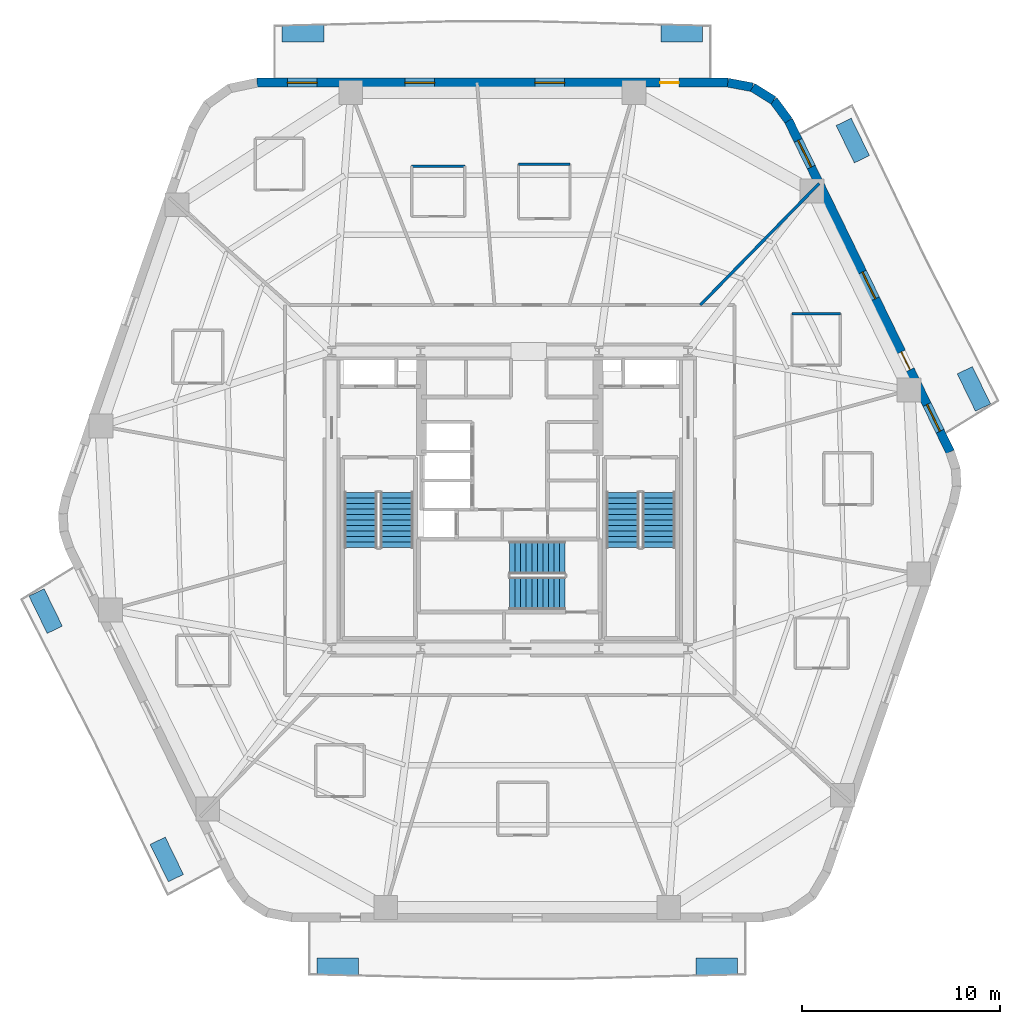
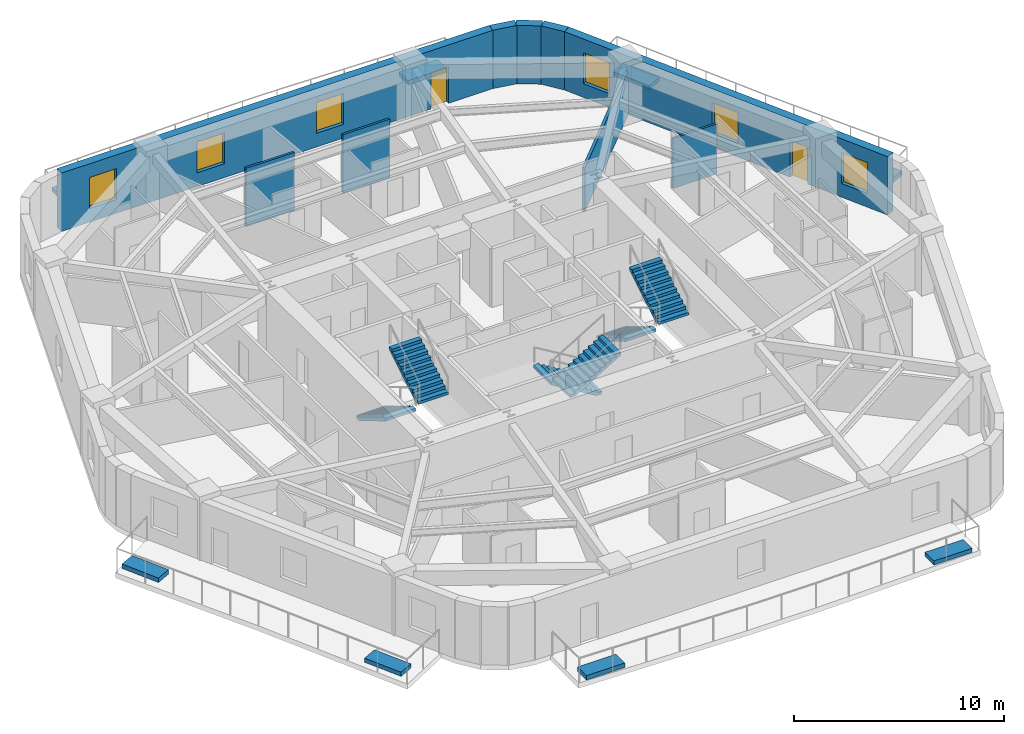
# One storey, part 6 of 9: 9 walls, 8 discrete accessories, 6 stair flights, 6 windows, 2 doors, 8 openings, 3 elements without a shape of their own.
"""IFC4 building model written with IfcOpenShell, lengths in metres."""

from ifc_helpers import new_model, si_unit, direction, frame, frame_2d, origin, origin_2d, place, context, subcontext, project, spatial, polyline, rectangle, outline, extrude, material, layer, layer_set, type_object, element, fill, aggregate, save


model = new_model("IFC4")

# Units and contexts
model_context = context("Model", 3, precision=1e-05, world=origin(), true_north=direction((0.0, 1.0)))
body_context = subcontext(model_context, "Body", "Model", "MODEL_VIEW")
ifc_project = project(units=[si_unit("LENGTHUNIT", "METRE"), si_unit("AREAUNIT", "SQUARE_METRE"), si_unit("VOLUMEUNIT", "CUBIC_METRE"), si_unit("PLANEANGLEUNIT", "RADIAN"), si_unit("MASSUNIT", "GRAM", prefix="KILO")], contexts=[model_context])

# Site, building, storey
site_placement = place(None, origin())
site = spatial("IfcSite", under=ifc_project, at=site_placement, CompositionType="ELEMENT")
building_placement = place(site_placement, origin())
building = spatial("IfcBuilding", under=site, at=building_placement, Name="Kilnhurst Terrace Hotel", CompositionType="ELEMENT")
storey_placement = place(building_placement, frame((0.0, 0.0, 128.39990234375)))
storey = spatial("IfcBuildingStorey", under=building, at=storey_placement, Name="L31", CompositionType="ELEMENT", Elevation=128.39990234375)

# Walls
ifc_material_1 = material(Name="Precast concrete C40/50", Category="concrete")
ifc_layer_1 = layer(ifc_material_1, 0.449951171875, Name="Precast concrete C40/50")
ifc_layer_set_1 = layer_set([ifc_layer_1], Name="Precast concrete C40/50")
wall_type_1 = type_object("IfcWallType", Name="WL-BRK-450", PredefinedType="SOLIDWALL", material=ifc_layer_set_1)
wall_1_placement = place(storey_placement, frame((14.07568359375, 19.16064453125, 0.0), z_axis=(0.0, 0.0, 1.0), x_axis=(-0.597226657159, 0.802072515412, 0.0)))
element("IfcWall", 1, at=wall_1_placement, inside=storey, type_object=wall_type_1, Name="L31 Rounded Corner Brick Wall C4.1", PredefinedType="SOLIDWALL", context=body_context, shape_type="SweptSolid", body=[
    extrude(rectangle(XDim=1.269287109375, YDim=0.449951171875, at=frame_2d((0.634765625, 0.0))), origin(), (0.0, 0.0, 1.0), 3.400146484375),
])
wall_2_placement = place(storey_placement, frame((13.317626953125, 20.1787109375, 0.0), z_axis=(0.0, 0.0, 1.0), x_axis=(-0.848031272749, 0.529946186362, 0.0)))
element("IfcWall", 2, at=wall_2_placement, inside=storey, type_object=wall_type_1, Name="L31 Rounded Corner Brick Wall C4.2", PredefinedType="SOLIDWALL", context=body_context, shape_type="SweptSolid", body=[
    extrude(rectangle(XDim=1.248046875, YDim=0.449951171875, at=frame_2d((0.6240234375, 0.0))), origin(), (0.0, 0.0, 1.0), 3.400146484375),
])
wall_3_placement = place(storey_placement, frame((12.25927734375, 20.840087890625, 0.0), z_axis=(0.0, 0.0, 1.0), x_axis=(-0.982730354425, 0.185043374624, 0.0)))
element("IfcWall", 3, at=wall_3_placement, inside=storey, type_object=wall_type_1, Name="L31 Rounded Corner Brick Wall C4.3", PredefinedType="SOLIDWALL", context=body_context, shape_type="SweptSolid", body=[
    extrude(rectangle(XDim=1.269287109375, YDim=0.449951171875, at=frame_2d((0.634765625, 0.0))), origin(), (0.0, 0.0, 1.0), 3.400146484375),
])

# Wall, openings, door, windows
wall_4_placement = place(storey_placement, frame((22.237548828125, 2.426513671875, 0.0), z_axis=(0.0, 0.0, 1.0), x_axis=(-0.438374803278, 0.898792262901, 0.0)))
wall_4 = element("IfcWall", 4, at=wall_4_placement, inside=storey, type_object=wall_type_1, Name="L31 Exterior Brick Facade Wall F3", PredefinedType="SOLIDWALL", context=body_context, shape_type="SweptSolid", body=[
    extrude(rectangle(XDim=18.618408203125, YDim=0.449951171875, at=frame_2d((9.30908203125, 0.0))), origin(), (0.0, 0.0, 1.0), 3.400146484375),
])
opening_1_placement = place(wall_4_placement, frame((4.6201171875, 0.0, 0.0)))
opening_1 = element("IfcOpeningElement", 5, at=opening_1_placement, cuts=wall_4, Name="Opening BD-1000", PredefinedType="OPENING", context=body_context, shape_type="SweptSolid", body=[
    extrude(rectangle(XDim=1.0, YDim=2.14990234375, at=frame_2d((0.5, 1.074951171875))), frame((0.0, 0.23486328125, 0.0), z_axis=(0.0, -1.0, 0.0), x_axis=(1.0, 0.0, 0.0)), (0.0, 0.0, 1.0), 0.469970703125),
])
opening_2_placement = place(wall_4_placement, frame((8.610107421875, 0.0, 0.800048828125)))
opening_2 = element("IfcOpeningElement", 6, at=opening_2_placement, cuts=wall_4, Name="Opening W-02", PredefinedType="OPENING", context=body_context, shape_type="SweptSolid", body=[
    extrude(rectangle(XDim=1.5, YDim=1.800048828125, at=frame_2d((0.75, 0.89990234375))), frame((0.0, 0.23486328125, 0.0), z_axis=(0.0, -1.0, 0.0), x_axis=(1.0, 0.0, 0.0)), (0.0, 0.0, 1.0), 0.469970703125),
])
opening_3_placement = place(wall_4_placement, frame((16.006103515625, 0.0, 0.800048828125)))
opening_3 = element("IfcOpeningElement", 7, at=opening_3_placement, cuts=wall_4, Name="Opening W-02", PredefinedType="OPENING", context=body_context, shape_type="SweptSolid", body=[
    extrude(rectangle(XDim=1.5, YDim=1.800048828125, at=frame_2d((0.75, 0.89990234375))), frame((0.0, 0.23486328125, 0.0), z_axis=(0.0, -1.0, 0.0), x_axis=(1.0, 0.0, 0.0)), (0.0, 0.0, 1.0), 0.469970703125),
])
opening_4_placement = place(wall_4_placement, frame((1.1630859375, 0.0, 0.800048828125)))
opening_4 = element("IfcOpeningElement", 8, at=opening_4_placement, cuts=wall_4, Name="Opening W-02", PredefinedType="OPENING", context=body_context, shape_type="SweptSolid", body=[
    extrude(rectangle(XDim=1.5, YDim=1.800048828125, at=frame_2d((0.75, 0.89990234375))), frame((0.0, 0.23486328125, 0.0), z_axis=(0.0, -1.0, 0.0), x_axis=(1.0, 0.0, 0.0)), (0.0, 0.0, 1.0), 0.469970703125),
])
ifc_material_2 = material(Name="Thermally Broken Bronze Aluminium Alloy 6063-T6 and Laminated Glass", Category="aluminium")
door_type_1 = type_object("IfcDoorType", Name="DR-EXT-BAL-1000", OperationType="NOTDEFINED", PredefinedType="DOOR", material=ifc_material_2)
door_1_placement = place(opening_1_placement, origin())
door_1 = element("IfcDoor", 9, at=door_1_placement, inside=storey, type_object=door_type_1, Name="L31 Planted Balcony Door BAL-L1A", OperationType="SINGLE_SWING_LEFT", OverallHeight=2.14990234375, OverallWidth=1.0, PredefinedType="DOOR", context=body_context, shape_type="SweptSolid", body=[
    extrude(rectangle(XDim=1.0, YDim=2.14990234375, at=frame_2d((0.5, 1.074951171875))), frame((0.0, 0.02490234375, 0.0), z_axis=(0.0, -1.0, 0.0), x_axis=(1.0, 0.0, 0.0)), (0.0, 0.0, 1.0), 0.050048828125),
])
fill(opening_1, door_1)
ifc_material_3 = material(Name="Thermally Broken Bronze Aluminium Alloy 6063-T6 and Low-E Glass", Category="aluminium")
window_type = type_object("IfcWindowType", Name="WIN-1500X1800", PartitioningType="SINGLE_PANEL", PredefinedType="WINDOW", material=ifc_material_3)
window_1_placement = place(opening_2_placement, origin())
window_1 = element("IfcWindow", 10, at=window_1_placement, inside=storey, type_object=window_type, Name="L31 Deep-Set Masonry Window F3.1", OverallHeight=1.800048828125, OverallWidth=1.5, PartitioningType="SINGLE_PANEL", PredefinedType="WINDOW", context=body_context, shape_type="SweptSolid", body=[
    extrude(rectangle(XDim=1.5, YDim=1.800048828125, at=frame_2d((0.75, 0.89990234375))), frame((0.0, 0.030029296875, 0.0), z_axis=(0.0, -1.0, 0.0), x_axis=(1.0, 0.0, 0.0)), (0.0, 0.0, 1.0), 0.06005859375),
])
fill(opening_2, window_1)
window_2_placement = place(opening_3_placement, origin())
window_2 = element("IfcWindow", 11, at=window_2_placement, inside=storey, type_object=window_type, Name="L31 Deep-Set Masonry Window F3.2", OverallHeight=1.800048828125, OverallWidth=1.5, PartitioningType="SINGLE_PANEL", PredefinedType="WINDOW", context=body_context, shape_type="SweptSolid", body=[
    extrude(rectangle(XDim=1.5, YDim=1.800048828125, at=frame_2d((0.75, 0.89990234375))), frame((0.0, 0.030029296875, 0.0), z_axis=(0.0, -1.0, 0.0), x_axis=(1.0, 0.0, 0.0)), (0.0, 0.0, 1.0), 0.06005859375),
])
fill(opening_3, window_2)
window_3_placement = place(opening_4_placement, origin())
window_3 = element("IfcWindow", 12, at=window_3_placement, inside=storey, type_object=window_type, Name="L31 Deep-Set Masonry Window F3.3", OverallHeight=1.800048828125, OverallWidth=1.5, PartitioningType="SINGLE_PANEL", PredefinedType="WINDOW", context=body_context, shape_type="SweptSolid", body=[
    extrude(rectangle(XDim=1.5, YDim=1.800048828125, at=frame_2d((0.75, 0.89990234375))), frame((0.0, 0.030029296875, 0.0), z_axis=(0.0, -1.0, 0.0), x_axis=(1.0, 0.0, 0.0)), (0.0, 0.0, 1.0), 0.06005859375),
])
fill(opening_4, window_3)

wall_5_placement = place(storey_placement, frame((11.011962890625, 21.074951171875, 0.0), z_axis=(0.0, 0.0, 1.0), x_axis=(-1.0, 0.0, 0.0)))
wall_5 = element("IfcWall", 13, at=wall_5_placement, inside=storey, type_object=wall_type_1, Name="L31 Exterior Brick Facade Wall F4", PredefinedType="SOLIDWALL", context=body_context, shape_type="SweptSolid", body=[
    extrude(rectangle(XDim=23.782470703125, YDim=0.449951171875, at=frame_2d((11.89111328125, 0.0))), origin(), (0.0, 0.0, 1.0), 3.400146484375),
])
opening_5_placement = place(wall_5_placement, frame((2.472900390625, 0.0, 0.0)))
opening_5 = element("IfcOpeningElement", 14, at=opening_5_placement, cuts=wall_5, Name="Opening BD-950", PredefinedType="OPENING", context=body_context, shape_type="SweptSolid", body=[
    extrude(rectangle(XDim=0.949951171875, YDim=2.14990234375, at=frame_2d((0.47509765625, 1.074951171875))), frame((0.0, 0.23486328125, 0.0), z_axis=(0.0, -1.0, 0.0), x_axis=(1.0, 0.0, 0.0)), (0.0, 0.0, 1.0), 0.469970703125),
])
opening_6_placement = place(wall_5_placement, frame((8.243896484375, 0.0, 0.800048828125)))
opening_6 = element("IfcOpeningElement", 15, at=opening_6_placement, cuts=wall_5, Name="Opening W-02", PredefinedType="OPENING", context=body_context, shape_type="SweptSolid", body=[
    extrude(rectangle(XDim=1.5, YDim=1.800048828125, at=frame_2d((0.75, 0.89990234375))), frame((0.0, 0.23486328125, 0.0), z_axis=(0.0, -1.0, 0.0), x_axis=(1.0, 0.0, 0.0)), (0.0, 0.0, 1.0), 0.469970703125),
])
opening_7_placement = place(wall_5_placement, frame((14.81103515625, 0.0, 0.800048828125)))
opening_7 = element("IfcOpeningElement", 16, at=opening_7_placement, cuts=wall_5, Name="Opening W-02", PredefinedType="OPENING", context=body_context, shape_type="SweptSolid", body=[
    extrude(rectangle(XDim=1.5, YDim=1.800048828125, at=frame_2d((0.75, 0.89990234375))), frame((0.0, 0.23486328125, 0.0), z_axis=(0.0, -1.0, 0.0), x_axis=(1.0, 0.0, 0.0)), (0.0, 0.0, 1.0), 0.469970703125),
])
opening_8_placement = place(wall_5_placement, frame((20.740966796875, 0.0, 0.800048828125)))
opening_8 = element("IfcOpeningElement", 17, at=opening_8_placement, cuts=wall_5, Name="Opening W-02", PredefinedType="OPENING", context=body_context, shape_type="SweptSolid", body=[
    extrude(rectangle(XDim=1.5, YDim=1.800048828125, at=frame_2d((0.75, 0.89990234375))), frame((0.0, 0.23486328125, 0.0), z_axis=(0.0, -1.0, 0.0), x_axis=(1.0, 0.0, 0.0)), (0.0, 0.0, 1.0), 0.469970703125),
])
door_type_2 = type_object("IfcDoorType", Name="DR-EXT-BAL-950", OperationType="NOTDEFINED", PredefinedType="DOOR", material=ifc_material_2)
door_2_placement = place(opening_5_placement, origin())
door_2 = element("IfcDoor", 18, at=door_2_placement, inside=storey, type_object=door_type_2, Name="L31 Planted Balcony Door BAL-L1B", OperationType="SINGLE_SWING_RIGHT", OverallHeight=2.14990234375, OverallWidth=0.949951171875, PredefinedType="DOOR", context=body_context, shape_type="SweptSolid", body=[
    extrude(rectangle(XDim=0.949951171875, YDim=2.14990234375, at=frame_2d((0.47509765625, 1.074951171875))), frame((0.0, 0.02490234375, 0.0), z_axis=(0.0, -1.0, 0.0), x_axis=(1.0, 0.0, 0.0)), (0.0, 0.0, 1.0), 0.050048828125),
])
fill(opening_5, door_2)
window_4_placement = place(opening_6_placement, origin())
window_4 = element("IfcWindow", 19, at=window_4_placement, inside=storey, type_object=window_type, Name="L31 Deep-Set Masonry Window F4.1", OverallHeight=1.800048828125, OverallWidth=1.5, PartitioningType="SINGLE_PANEL", PredefinedType="WINDOW", context=body_context, shape_type="SweptSolid", body=[
    extrude(rectangle(XDim=1.5, YDim=1.800048828125, at=frame_2d((0.75, 0.89990234375))), frame((0.0, 0.030029296875, 0.0), z_axis=(0.0, -1.0, 0.0), x_axis=(1.0, 0.0, 0.0)), (0.0, 0.0, 1.0), 0.06005859375),
])
fill(opening_6, window_4)
window_5_placement = place(opening_7_placement, origin())
window_5 = element("IfcWindow", 20, at=window_5_placement, inside=storey, type_object=window_type, Name="L31 Deep-Set Masonry Window F4.2", OverallHeight=1.800048828125, OverallWidth=1.5, PartitioningType="SINGLE_PANEL", PredefinedType="WINDOW", context=body_context, shape_type="SweptSolid", body=[
    extrude(rectangle(XDim=1.5, YDim=1.800048828125, at=frame_2d((0.75, 0.89990234375))), frame((0.0, 0.030029296875, 0.0), z_axis=(0.0, -1.0, 0.0), x_axis=(1.0, 0.0, 0.0)), (0.0, 0.0, 1.0), 0.06005859375),
])
fill(opening_7, window_5)
window_6_placement = place(opening_8_placement, origin())
window_6 = element("IfcWindow", 21, at=window_6_placement, inside=storey, type_object=window_type, Name="L31 Deep-Set Masonry Window F4.3", OverallHeight=1.800048828125, OverallWidth=1.5, PartitioningType="SINGLE_PANEL", PredefinedType="WINDOW", context=body_context, shape_type="SweptSolid", body=[
    extrude(rectangle(XDim=1.5, YDim=1.800048828125, at=frame_2d((0.75, 0.89990234375))), frame((0.0, 0.030029296875, 0.0), z_axis=(0.0, -1.0, 0.0), x_axis=(1.0, 0.0, 0.0)), (0.0, 0.0, 1.0), 0.06005859375),
])
fill(opening_8, window_6)

# Walls
ifc_material_4 = material(Name="STC-58 Acoustic Twin-Frame Guestroom Demising Partition")
ifc_layer_2 = layer(ifc_material_4, 0.14990234375, Name="STC-58 Acoustic Twin-Frame Guestroom Demising Partition")
ifc_layer_set_2 = layer_set([ifc_layer_2], Name="STC-58 Acoustic Twin-Frame Guestroom Demising Partition")
wall_type_2 = type_object("IfcWallType", Name="WL-DEM-150", PredefinedType="PARTITIONING", material=ifc_layer_set_2)
wall_6_placement = place(storey_placement, frame((9.6279296875, 9.85009765625, 0.0), z_axis=(0.0, 0.0, 1.0), x_axis=(0.698992824326, 0.715128681805, 0.0)))
element("IfcWall", 22, at=wall_6_placement, inside=storey, type_object=wall_type_2, Name="L31 Interior Wall WL-L31-DEM-COL02-02-1", PredefinedType="PARTITIONING", context=body_context, shape_type="SweptSolid", body=[
    extrude(rectangle(XDim=8.578857421875, YDim=0.14990234375, at=frame_2d((4.28955078125, 0.0))), origin(), (0.0, 0.0, 1.0), 2.5400390625),
])
ifc_material_5 = material(Name="120 mm Moisture-Resistant Tile-Backed Bathroom Partition")
ifc_layer_3 = layer(ifc_material_5, 0.1201171875, Name="120 mm Moisture-Resistant Tile-Backed Bathroom Partition")
ifc_layer_set_3 = layer_set([ifc_layer_3], Name="120 mm Moisture-Resistant Tile-Backed Bathroom Partition")
wall_type_3 = type_object("IfcWallType", Name="WL-PART-120", PredefinedType="PARTITIONING", material=ifc_layer_set_3)
wall_7_placement = place(storey_placement, frame((16.695068359375, 9.409912109375, 0.0), z_axis=(0.0, 0.0, 1.0), x_axis=(-1.0, 0.0, 0.0)))
element("IfcWall", 23, at=wall_7_placement, inside=storey, type_object=wall_type_3, Name="L31 Interior Wall WL-L31-BTH-01-3", PredefinedType="PARTITIONING", context=body_context, shape_type="SweptSolid", body=[
    extrude(rectangle(XDim=2.440185546875, YDim=0.1201171875, at=frame_2d((1.22021484375, 0.0))), origin(), (0.0, 0.0, 1.0), 2.926513671875),
])
wall_8_placement = place(storey_placement, frame((3.041015625, 16.9619140625, 0.0), z_axis=(0.0, 0.0, 1.0), x_axis=(-1.0, 0.0, 0.0)))
element("IfcWall", 24, at=wall_8_placement, inside=storey, type_object=wall_type_3, Name="L31 Interior Wall WL-L31-BTH-03-3", PredefinedType="PARTITIONING", context=body_context, shape_type="SweptSolid", body=[
    extrude(rectangle(XDim=2.60009765625, YDim=0.1201171875, at=frame_2d((1.300048828125, 0.0))), origin(), (0.0, 0.0, 1.0), 3.400146484375),
])
wall_9_placement = place(storey_placement, frame((-2.27392578125, 16.85693359375, 0.0), z_axis=(0.0, 0.0, 1.0), x_axis=(-1.0, 0.0, 0.0)))
element("IfcWall", 25, at=wall_9_placement, inside=storey, type_object=wall_type_3, Name="L31 Interior Wall WL-L31-BTH-04-3", PredefinedType="PARTITIONING", context=body_context, shape_type="SweptSolid", body=[
    extrude(rectangle(XDim=2.68017578125, YDim=0.1201171875, at=frame_2d((1.340087890625, 0.0))), origin(), (0.0, 0.0, 1.0), 3.400146484375),
])

# Stair, stair flights
ifc_material_6 = material(Name="Concrete C50/60", Category="concrete")
stair_type = type_object("IfcStairType", Name="STR-CORE-1660", PredefinedType="HALF_TURN_STAIR", material=ifc_material_6)
stair_1_placement = place(storey_placement, origin())
stair_1 = element("IfcStair", 26, at=stair_1_placement, inside=storey, type_object=stair_type, Name="L31 ST-1", PredefinedType="HALF_TURN_STAIR")
stair_flight_type = type_object("IfcStairFlightType", Name="FLT-RC-1660", PredefinedType="STRAIGHT", material=ifc_material_6)
stair_flight_1_placement = place(storey_placement, frame((-7.52001953125, 0.389892578125, 0.0), z_axis=(0.0, 0.0, 1.0), x_axis=(0.0, -1.0, 0.0)))
stair_flight_1 = element("IfcStairFlight", 27, at=stair_flight_1_placement, type_object=stair_flight_type, Name="ST-1 flight 1", NumberOfRisers=11, NumberOfTreads=10, PredefinedType="STRAIGHT", RiserHeight=0.168181818, TreadLength=0.28, context=body_context, shape_type="SweptSolid", body=[
    extrude(outline(polyline([(0.0, 0.0), (0.0, 0.168212890625), (0.280029296875, 0.168212890625), (0.280029296875, 0.33642578125), (0.56005859375, 0.33642578125), (0.56005859375, 0.504638671875), (0.840087890625, 0.504638671875), (0.840087890625, 0.672607421875), (1.1201171875, 0.672607421875), (1.1201171875, 0.8408203125), (1.39990234375, 0.8408203125), (1.39990234375, 1.009033203125), (1.679931640625, 1.009033203125), (1.679931640625, 1.17724609375), (1.9599609375, 1.17724609375), (1.9599609375, 1.345458984375), (2.239990234375, 1.345458984375), (2.239990234375, 1.513671875), (2.52001953125, 1.513671875), (2.52001953125, 1.681884765625), (2.800048828125, 1.681884765625), (2.800048828125, 1.85009765625), (2.800048828125, 1.5068359375), (0.291015625, 0.0), (0.0, 0.0)])), frame((0.0, 0.830078125, 0.0), z_axis=(0.0, -1.0, 0.0), x_axis=(1.0, 0.0, 0.0)), (0.0, 0.0, 1.0), 1.659912109375),
])
stair_flight_2_placement = place(storey_placement, frame((-5.7099609375, -2.409912109375, 1.85009765625), z_axis=(0.0, 0.0, 1.0), x_axis=(0.0, 1.0, 0.0)))
stair_flight_2 = element("IfcStairFlight", 28, at=stair_flight_2_placement, type_object=stair_flight_type, Name="ST-1 flight 2", NumberOfRisers=11, NumberOfTreads=10, PredefinedType="STRAIGHT", RiserHeight=0.168181818, TreadLength=0.28, context=body_context, shape_type="SweptSolid", body=[
    extrude(outline(polyline([(0.0, 0.0), (0.0, 0.168212890625), (0.280029296875, 0.168212890625), (0.280029296875, 0.33642578125), (0.56005859375, 0.33642578125), (0.56005859375, 0.504638671875), (0.840087890625, 0.504638671875), (0.840087890625, 0.672607421875), (1.1201171875, 0.672607421875), (1.1201171875, 0.8408203125), (1.39990234375, 0.8408203125), (1.39990234375, 1.009033203125), (1.679931640625, 1.009033203125), (1.679931640625, 1.17724609375), (1.9599609375, 1.17724609375), (1.9599609375, 1.345458984375), (2.239990234375, 1.345458984375), (2.239990234375, 1.513671875), (2.52001953125, 1.513671875), (2.52001953125, 1.681884765625), (2.800048828125, 1.681884765625), (2.800048828125, 1.85009765625), (2.800048828125, 1.5068359375), (0.291015625, 0.0), (0.0, 0.0)])), frame((0.0, 0.830078125, 0.0), z_axis=(0.0, -1.0, 0.0), x_axis=(1.0, 0.0, 0.0)), (0.0, 0.0, 1.0), 1.659912109375),
])
aggregate(stair_1, [stair_flight_1, stair_flight_2])

stair_2_placement = place(storey_placement, origin())
stair_2 = element("IfcStair", 29, at=stair_2_placement, inside=storey, type_object=stair_type, Name="L31 ST-2", PredefinedType="HALF_TURN_STAIR")
stair_flight_3_placement = place(storey_placement, frame((5.7099609375, 0.389892578125, 0.0), z_axis=(0.0, 0.0, 1.0), x_axis=(0.0, -1.0, 0.0)))
stair_flight_3 = element("IfcStairFlight", 30, at=stair_flight_3_placement, type_object=stair_flight_type, Name="ST-2 flight 1", NumberOfRisers=11, NumberOfTreads=10, PredefinedType="STRAIGHT", RiserHeight=0.168181818, TreadLength=0.28, context=body_context, shape_type="SweptSolid", body=[
    extrude(outline(polyline([(0.0, 0.0), (0.0, 0.168212890625), (0.280029296875, 0.168212890625), (0.280029296875, 0.33642578125), (0.56005859375, 0.33642578125), (0.56005859375, 0.504638671875), (0.840087890625, 0.504638671875), (0.840087890625, 0.672607421875), (1.1201171875, 0.672607421875), (1.1201171875, 0.8408203125), (1.39990234375, 0.8408203125), (1.39990234375, 1.009033203125), (1.679931640625, 1.009033203125), (1.679931640625, 1.17724609375), (1.9599609375, 1.17724609375), (1.9599609375, 1.345458984375), (2.239990234375, 1.345458984375), (2.239990234375, 1.513671875), (2.52001953125, 1.513671875), (2.52001953125, 1.681884765625), (2.800048828125, 1.681884765625), (2.800048828125, 1.85009765625), (2.800048828125, 1.5068359375), (0.291015625, 0.0), (0.0, 0.0)])), frame((0.0, 0.830078125, 0.0), z_axis=(0.0, -1.0, 0.0), x_axis=(1.0, 0.0, 0.0)), (0.0, 0.0, 1.0), 1.659912109375),
])
stair_flight_4_placement = place(storey_placement, frame((7.52001953125, -2.409912109375, 1.85009765625), z_axis=(0.0, 0.0, 1.0), x_axis=(0.0, 1.0, 0.0)))
stair_flight_4 = element("IfcStairFlight", 31, at=stair_flight_4_placement, type_object=stair_flight_type, Name="ST-2 flight 2", NumberOfRisers=11, NumberOfTreads=10, PredefinedType="STRAIGHT", RiserHeight=0.168181818, TreadLength=0.28, context=body_context, shape_type="SweptSolid", body=[
    extrude(outline(polyline([(0.0, 0.0), (0.0, 0.168212890625), (0.280029296875, 0.168212890625), (0.280029296875, 0.33642578125), (0.56005859375, 0.33642578125), (0.56005859375, 0.504638671875), (0.840087890625, 0.504638671875), (0.840087890625, 0.672607421875), (1.1201171875, 0.672607421875), (1.1201171875, 0.8408203125), (1.39990234375, 0.8408203125), (1.39990234375, 1.009033203125), (1.679931640625, 1.009033203125), (1.679931640625, 1.17724609375), (1.9599609375, 1.17724609375), (1.9599609375, 1.345458984375), (2.239990234375, 1.345458984375), (2.239990234375, 1.513671875), (2.52001953125, 1.513671875), (2.52001953125, 1.681884765625), (2.800048828125, 1.681884765625), (2.800048828125, 1.85009765625), (2.800048828125, 1.5068359375), (0.291015625, 0.0), (0.0, 0.0)])), frame((0.0, 0.830078125, 0.0), z_axis=(0.0, -1.0, 0.0), x_axis=(1.0, 0.0, 0.0)), (0.0, 0.0, 1.0), 1.659912109375),
])
aggregate(stair_2, [stair_flight_3, stair_flight_4])

stair_3_placement = place(storey_placement, origin())
stair_3 = element("IfcStair", 32, at=stair_3_placement, inside=storey, type_object=stair_type, Name="L31 ST-3", PredefinedType="HALF_TURN_STAIR")
stair_flight_5_placement = place(storey_placement, frame((2.7900390625, -2.909912109375, 0.0), z_axis=(0.0, 0.0, 1.0), x_axis=(-1.0, 0.0, 0.0)))
stair_flight_5 = element("IfcStairFlight", 33, at=stair_flight_5_placement, type_object=stair_flight_type, Name="ST-3 flight 1", NumberOfRisers=11, NumberOfTreads=10, PredefinedType="STRAIGHT", RiserHeight=0.168181818, TreadLength=0.28, context=body_context, shape_type="SweptSolid", body=[
    extrude(outline(polyline([(0.0, 0.0), (0.0, 0.168212890625), (0.280029296875, 0.168212890625), (0.280029296875, 0.33642578125), (0.56005859375, 0.33642578125), (0.56005859375, 0.504638671875), (0.840087890625, 0.504638671875), (0.840087890625, 0.672607421875), (1.1201171875, 0.672607421875), (1.1201171875, 0.8408203125), (1.39990234375, 0.8408203125), (1.39990234375, 1.009033203125), (1.679931640625, 1.009033203125), (1.679931640625, 1.17724609375), (1.9599609375, 1.17724609375), (1.9599609375, 1.345458984375), (2.239990234375, 1.345458984375), (2.239990234375, 1.513671875), (2.52001953125, 1.513671875), (2.52001953125, 1.681884765625), (2.800048828125, 1.681884765625), (2.800048828125, 1.85009765625), (2.800048828125, 1.5068359375), (0.291015625, 0.0), (0.0, 0.0)])), frame((0.0, 0.830078125, 0.0), z_axis=(0.0, -1.0, 0.0), x_axis=(1.0, 0.0, 0.0)), (0.0, 0.0, 1.0), 1.659912109375),
])
stair_flight_6_placement = place(storey_placement, frame((-0.010009765625, -4.719970703125, 1.85009765625), z_axis=(0.0, 0.0, 1.0), x_axis=(1.0, 0.0, 0.0)))
stair_flight_6 = element("IfcStairFlight", 34, at=stair_flight_6_placement, type_object=stair_flight_type, Name="ST-3 flight 2", NumberOfRisers=11, NumberOfTreads=10, PredefinedType="STRAIGHT", RiserHeight=0.168181818, TreadLength=0.28, context=body_context, shape_type="SweptSolid", body=[
    extrude(outline(polyline([(0.0, 0.0), (0.0, 0.168212890625), (0.280029296875, 0.168212890625), (0.280029296875, 0.33642578125), (0.56005859375, 0.33642578125), (0.56005859375, 0.504638671875), (0.840087890625, 0.504638671875), (0.840087890625, 0.672607421875), (1.1201171875, 0.672607421875), (1.1201171875, 0.8408203125), (1.39990234375, 0.8408203125), (1.39990234375, 1.009033203125), (1.679931640625, 1.009033203125), (1.679931640625, 1.17724609375), (1.9599609375, 1.17724609375), (1.9599609375, 1.345458984375), (2.239990234375, 1.345458984375), (2.239990234375, 1.513671875), (2.52001953125, 1.513671875), (2.52001953125, 1.681884765625), (2.800048828125, 1.681884765625), (2.800048828125, 1.85009765625), (2.800048828125, 1.5068359375), (0.291015625, 0.0), (0.0, 0.0)])), frame((0.0, 0.830078125, 0.0), z_axis=(0.0, -1.0, 0.0), x_axis=(1.0, 0.0, 0.0)), (0.0, 0.0, 1.0), 1.659912109375),
])
aggregate(stair_3, [stair_flight_5, stair_flight_6])

# Discrete accessories
ifc_material_7 = material(Name="Precast Concrete C40/50 Shrub Planter", Category="concrete")
discrete_accessory_type_1 = type_object("IfcDiscreteAccessoryType", Name="PLN-SHRUB-240", PredefinedType="USERDEFINED", material=ifc_material_7)
for number, where, z_axis, x_axis, name in (
    (35, (17.321044921875, 18.15234375, 0.0), (0.0, 0.0, 1.0), (-0.438386833638, 0.898786395142, 0.0), "L31 Structural Tree Planter Box PLANTER BAL-L1A.2"),
    (36, (-10.443603515625, 23.550048828125, 0.0), (0.0, 0.0, 1.0), (-1.0, 0.0, 0.0), "L31 Structural Tree Planter Box PLANTER BAL-L1B.2"),
    (37, (-17.321044921875, -18.15234375, 0.0), (0.0, 0.0, 1.0), (0.438386833638, -0.898786395142, 0.0), "L31 Structural Tree Planter Box PLANTER BAL-L2A.2"),
    (38, (10.443603515625, -23.550048828125, 0.0), (0.0, 0.0, 1.0), (1.0, 0.0, 0.0), "L31 Structural Tree Planter Box PLANTER BAL-L2B.2"),
):
    element("IfcDiscreteAccessory", number, at=place(storey_placement, frame(where, z_axis=z_axis, x_axis=x_axis)), inside=storey, type_object=discrete_accessory_type_1, Name=name, ObjectType="PLANTER", PredefinedType="USERDEFINED", context=body_context, shape_type="SweptSolid", body=[
        extrude(rectangle(XDim=2.10009765625, YDim=0.85009765625, at=origin_2d()), origin(), (0.0, 0.0, 1.0), 0.239990234375),
    ])
ifc_material_8 = material(Name="Precast Concrete C40/50 Tree Planter", Category="concrete")
discrete_accessory_type_2 = type_object("IfcDiscreteAccessoryType", Name="PLN-TREE-260", PredefinedType="USERDEFINED", material=ifc_material_8)
for number, where, z_axis, x_axis, name in (
    (39, (23.4384765625, 5.6103515625, 0.0), (0.0, 0.0, 1.0), (-0.438386833638, 0.898786395142, 0.0), "L31 Structural Tree Planter Box PLANTER BAL-L1A.1"),
    (40, (8.68310546875, 23.550048828125, 0.0), (0.0, 0.0, 1.0), (-1.0, 0.0, 0.0), "L31 Structural Tree Planter Box PLANTER BAL-L1B.1"),
    (41, (-23.4384765625, -5.6103515625, 0.0), (0.0, 0.0, 1.0), (0.438386833638, -0.898786395142, 0.0), "L31 Structural Tree Planter Box PLANTER BAL-L2A.1"),
    (42, (-8.68310546875, -23.550048828125, 0.0), (0.0, 0.0, 1.0), (1.0, 0.0, 0.0), "L31 Structural Tree Planter Box PLANTER BAL-L2B.1"),
):
    element("IfcDiscreteAccessory", number, at=place(storey_placement, frame(where, z_axis=z_axis, x_axis=x_axis)), inside=storey, type_object=discrete_accessory_type_2, Name=name, ObjectType="PLANTER", PredefinedType="USERDEFINED", context=body_context, shape_type="SweptSolid", body=[
        extrude(rectangle(XDim=2.10009765625, YDim=0.85009765625, at=origin_2d()), origin(), (0.0, 0.0, 1.0), 0.260009765625),
    ])

save(model, "model.ifc")
